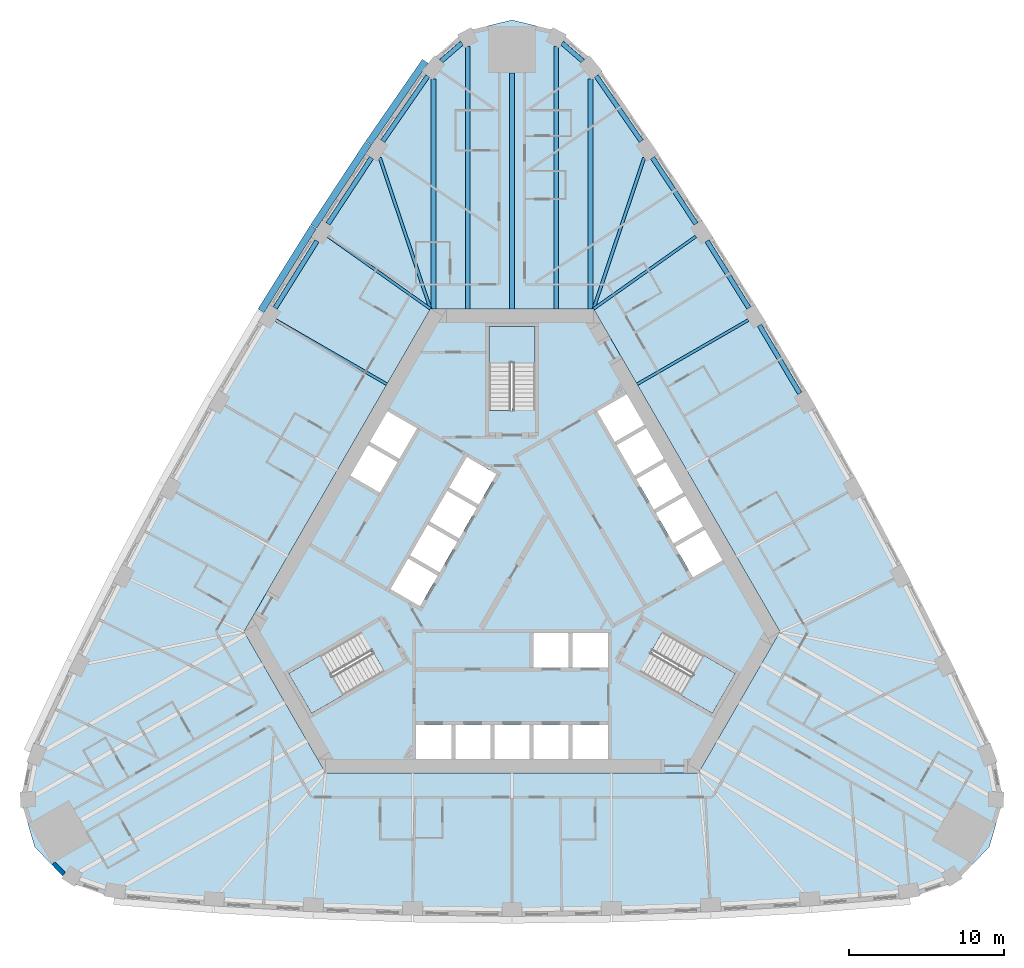
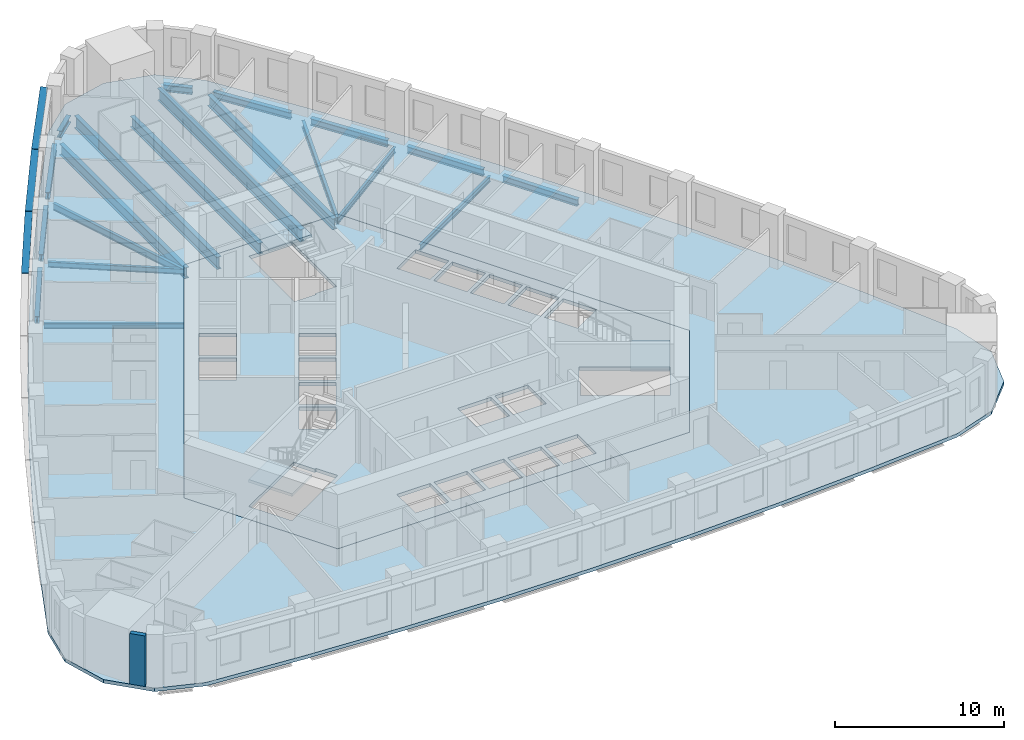
# One storey, part 2 of 12: 20 beams, 5 slabs, 3 members, 1 wall, 3 elements without a shape of their own.
"""IFC4 building model written with IfcOpenShell, lengths in metres."""

import ifcopenshell
import ifcopenshell.guid

model = None  # the IFC model being written
_history = None  # IfcOwnerHistory: only IFC2X3 demands one
_inside = {}  # id of a spatial element -> (the spatial element, [elements in it])
_under = {}  # id of a project, library or spatial element -> (it, [spatial elements below it])
_declared = {}  # id of a project -> (the project, [libraries it declares])
_typed = {}  # id of a type object -> (the type object, [elements of that type])
_made_of = {}  # id of a material, layer set ... -> (it, [elements and type objects made of it])


def new_model(schema):
    """Start an empty IFC model of exactly this schema.

    Asked for "IFC4X3", IfcOpenShell would pick the latest addendum, in which some entities
    have other attributes; the version numbers below select the first issue.
    IFC2X3 requires an IfcOwnerHistory on every rooted entity: one is made here for all.
    """
    global model, _history
    if schema == "IFC4X3":
        model = ifcopenshell.file(schema_version=(4, 3, 0, 0))
    else:
        model = ifcopenshell.file(schema=schema)
    _inside.clear()
    _under.clear()
    _declared.clear()
    _typed.clear()
    _made_of.clear()
    _history = None
    if model.schema == "IFC2X3":
        org = make("IfcOrganization", Name="unknown")
        user = make(
            "IfcPersonAndOrganization",
            ThePerson=make("IfcPerson", FamilyName="unknown"),
            TheOrganization=org,
        )
        app = make(
            "IfcApplication",
            ApplicationDeveloper=org,
            Version="unknown",
            ApplicationFullName="unknown",
            ApplicationIdentifier="unknown",
        )
        _history = make(
            "IfcOwnerHistory",
            OwningUser=user,
            OwningApplication=app,
            ChangeAction="ADDED",
            CreationDate=0,
        )
    return model


def make(cls, **values):
    """One entity of the class cls with the attributes given. An attribute that is None is left unset."""
    return model.create_entity(
        cls, **{name: value for name, value in values.items() if value is not None}
    )


def rooted(cls, **values):
    """An entity with a GlobalId (a new one), such as an element, a storey or a relation."""
    return make(cls, GlobalId=ifcopenshell.guid.new(), OwnerHistory=_history, **values)


def si_unit(unit_type, name, prefix=None):
    """IfcSIUnit, for example si_unit("LENGTHUNIT", "METRE", prefix="MILLI")."""
    return make("IfcSIUnit", UnitType=unit_type, Prefix=prefix, Name=name)


def assignment(units):
    """IfcUnitAssignment: the units of a project."""
    return None if units is None else make("IfcUnitAssignment", Units=units)


def point(xyz):
    """IfcCartesianPoint."""
    return None if xyz is None else make("IfcCartesianPoint", Coordinates=xyz)


def direction(xyz):
    """IfcDirection."""
    return None if xyz is None else make("IfcDirection", DirectionRatios=xyz)


def frame(location, z_axis=None, x_axis=None):
    """IfcAxis2Placement3D, a coordinate frame: its origin and axes. An axis left out is left unset."""
    return make(
        "IfcAxis2Placement3D",
        Location=point(location),
        Axis=direction(z_axis),
        RefDirection=direction(x_axis),
    )


def frame_2d(location, x_axis=None):
    """IfcAxis2Placement2D, a coordinate frame in the plane: its origin and x axis."""
    return make(
        "IfcAxis2Placement2D", Location=point(location), RefDirection=direction(x_axis)
    )


def origin():
    """The frame at (0, 0, 0) with its axes left unset."""
    return frame((0.0, 0.0, 0.0))


def origin_2d():
    """The frame at (0, 0) in the plane with its x axis left unset."""
    return frame_2d((0.0, 0.0))


def place(relative_to, where):
    """IfcLocalPlacement: puts the frame where relative to a parent placement (None: the world)."""
    return make(
        "IfcLocalPlacement", PlacementRelTo=relative_to, RelativePlacement=where
    )


def context(
    kind, dimensions, precision=None, world=None, true_north=None, identifier=None
):
    """IfcGeometricRepresentationContext, for example the 3D "Model" context."""
    return make(
        "IfcGeometricRepresentationContext",
        ContextIdentifier=identifier,
        ContextType=kind,
        CoordinateSpaceDimension=dimensions,
        Precision=precision,
        WorldCoordinateSystem=world,
        TrueNorth=true_north,
    )


def subcontext(parent, identifier, kind, view, scale=None):
    """IfcGeometricRepresentationSubContext, for example "Body" below "Model"."""
    return make(
        "IfcGeometricRepresentationSubContext",
        ContextIdentifier=identifier,
        ContextType=kind,
        ParentContext=parent,
        TargetScale=scale,
        TargetView=view,
    )


def project(units=None, contexts=None):
    """IfcProject with its units and contexts."""
    return rooted(
        "IfcProject",
        Name="project",
        RepresentationContexts=contexts,
        UnitsInContext=assignment(units),
    )


def spatial(cls, under=None, at=None, **own):
    """A site, building, storey or space (cls), placed at a placement, below another one or the project."""
    s = rooted(cls, ObjectPlacement=at, **own)
    if under is not None:
        _under.setdefault(under.id(), (under, []))[1].append(s)
    return s


def polyline(points):
    """IfcPolyline through the points."""
    return make("IfcPolyline", Points=[point(p) for p in points])


def profile(cls, at=None, kind="AREA", **sizes):
    """A parametric profile (cls). Its sizes go by their IFC names, for example OverallWidth=200.0."""
    return make(cls, ProfileType=kind, Position=at, **sizes)


def rectangle(**sizes):
    """IfcRectangleProfileDef."""
    return profile("IfcRectangleProfileDef", **sizes)


def i_section(**sizes):
    """IfcIShapeProfileDef."""
    return profile("IfcIShapeProfileDef", **sizes)


def outline(outer, holes=None, kind="AREA"):
    """IfcArbitraryClosedProfileDef: a profile drawn as a closed curve; with holes, ...WithVoids."""
    if holes is None:
        return make("IfcArbitraryClosedProfileDef", ProfileType=kind, OuterCurve=outer)
    return make(
        "IfcArbitraryProfileDefWithVoids",
        ProfileType=kind,
        OuterCurve=outer,
        InnerCurves=holes,
    )


def extrude(swept, where, along, depth):
    """IfcExtrudedAreaSolid: the profile swept, set in the frame where, extruded along a direction by depth."""
    return make(
        "IfcExtrudedAreaSolid",
        SweptArea=swept,
        Position=where,
        ExtrudedDirection=direction(along),
        Depth=depth,
    )


def shape(context_of_items, identifier, shape_type, items):
    """IfcShapeRepresentation: the items that make up one representation, for example the "Body"."""
    return make(
        "IfcShapeRepresentation",
        ContextOfItems=context_of_items,
        RepresentationIdentifier=identifier,
        RepresentationType=shape_type,
        Items=items,
    )


def material(Name=None, Category=None):
    """IfcMaterial."""
    return make("IfcMaterial", Name=Name, Category=Category)


def layer(
    of_material, thickness, ventilated=None, Name=None, Category=None, Priority=None
):
    """IfcMaterialLayer: one layer of a wall or slab, of a material (None: an air gap)."""
    return make(
        "IfcMaterialLayer",
        Material=of_material,
        LayerThickness=thickness,
        IsVentilated=ventilated,
        Name=Name,
        Category=Category,
        Priority=Priority,
    )


def layer_set(layers, Name=None):
    """IfcMaterialLayerSet."""
    return make("IfcMaterialLayerSet", MaterialLayers=layers, LayerSetName=Name)


def material_profile(
    of_material, cross_section, Name=None, Category=None, Priority=None
):
    """IfcMaterialProfile: a cross section and its material."""
    return make(
        "IfcMaterialProfile",
        Name=Name,
        Material=of_material,
        Profile=cross_section,
        Priority=Priority,
        Category=Category,
    )


def profile_set(profiles, Name=None, composite=None):
    """IfcMaterialProfileSet."""
    return make(
        "IfcMaterialProfileSet",
        Name=Name,
        MaterialProfiles=profiles,
        CompositeProfile=composite,
    )


def made_of(thing, what):
    """Note that an element or type object is made of a material, layer set ...; save() writes the relation."""
    if what is not None:
        _made_of.setdefault(what.id(), (what, []))[1].append(thing)
    return thing


def type_object(cls, material=None, **own):
    """A type object (cls), such as IfcWallType, which elements share."""
    return made_of(rooted(cls, **own), material)


def element(
    cls,
    number,
    at=None,
    inside=None,
    cuts=None,
    type_object=None,
    material=None,
    context=None,
    identifier="Body",
    shape_type=None,
    held_by="IfcProductDefinitionShape",
    body=None,
    shapes=None,
    **own,
):
    """One element of the class cls, such as IfcWall. Its Tag is "e" and its number.

    at: its placement. inside: the storey or other place that contains it. cuts: it is an
    opening in that element (IfcRelVoidsElement). A single representation is given by context,
    identifier, shape_type and body (its items); several are given by shapes. held_by: the class
    of the entity that holds the representations. save() writes the other relations.
    """
    e = rooted(cls, Tag="e%d" % number, ObjectPlacement=at, **own)
    if body is not None:
        shapes = [shape(context, identifier, shape_type, body)]
    if shapes is not None:
        e.Representation = make(held_by, Representations=shapes)
    if inside is not None:
        _inside.setdefault(inside.id(), (inside, []))[1].append(e)
    if cuts is not None:
        rooted(
            "IfcRelVoidsElement", RelatingBuildingElement=cuts, RelatedOpeningElement=e
        )
    if type_object is not None:
        _typed.setdefault(type_object.id(), (type_object, []))[1].append(e)
    return made_of(e, material)


def aggregate(whole, parts):
    """IfcRelAggregates: a whole, such as a stair, and the parts it consists of."""
    return rooted("IfcRelAggregates", RelatingObject=whole, RelatedObjects=parts)


def save(model, path):
    """Write the relations noted so far, then the file.

    IfcRelAggregates (storeys below a building ...), IfcRelContainedInSpatialStructure (elements
    in a storey), IfcRelDefinesByType, IfcRelAssociatesMaterial and IfcRelDeclares: one each for
    every whole, place, type object, material and project.
    """
    for whole, parts in _under.values():
        aggregate(whole, parts)
    for where, things in _inside.values():
        rooted(
            "IfcRelContainedInSpatialStructure",
            RelatedElements=things,
            RelatingStructure=where,
        )
    for kind, things in _typed.values():
        rooted("IfcRelDefinesByType", RelatedObjects=things, RelatingType=kind)
    for what, things in _made_of.values():
        rooted("IfcRelAssociatesMaterial", RelatedObjects=things, RelatingMaterial=what)
    for by, libraries in _declared.values():
        rooted("IfcRelDeclares", RelatingContext=by, RelatedDefinitions=libraries)
    model.write(path)


model = new_model("IFC4")

# Units and contexts
model_context = context("Model", 3, precision=1e-05, world=origin(), true_north=direction((0.0, 1.0)))
body_context = subcontext(model_context, "Body", "Model", "MODEL_VIEW")
ifc_project = project(units=[si_unit("LENGTHUNIT", "METRE"), si_unit("AREAUNIT", "SQUARE_METRE"), si_unit("VOLUMEUNIT", "CUBIC_METRE"), si_unit("PLANEANGLEUNIT", "RADIAN"), si_unit("MASSUNIT", "GRAM", prefix="KILO")], contexts=[model_context])

# Site, building, storey
site_placement = place(None, origin())
site = spatial("IfcSite", under=ifc_project, at=site_placement, CompositionType="ELEMENT")
building_placement = place(site_placement, origin())
building = spatial("IfcBuilding", under=site, at=building_placement, Name="Mestral Congress Tower", CompositionType="ELEMENT")
storey_placement = place(building_placement, frame((0.0, 0.0, 107.10009765625)))
storey = spatial("IfcBuildingStorey", under=building, at=storey_placement, Name="L25", CompositionType="ELEMENT", Elevation=107.10009765625)

# Members
ifc_material_1 = material(Name="Glazed ceramic", Category="masonry")
ifc_material_profile_1 = material_profile(ifc_material_1, rectangle(XDim=0.449951171875, YDim=0.06005859375, at=origin_2d()), Name="Ceramic blade 450 x 60")
ifc_profile_set_1 = profile_set([ifc_material_profile_1], Name="Glazed ceramic")
member_type = type_object("IfcMemberType", Name="Facade sunshade blade 450 x 60", PredefinedType="USERDEFINED", material=ifc_profile_set_1)
member_placement = place(storey_placement, frame((-5.590576171875, 32.8505859375, 3.27978515625), z_axis=(-0.569144736399, -0.822237355652, 0.0), x_axis=(0.822237355652, -0.569144736399, 0.0)))
element("IfcMember", 1, at=member_placement, inside=storey, type_object=member_type, Name="Sunshade F2-00", ObjectType="SUNSHADE", PredefinedType="USERDEFINED", context=body_context, shape_type="SweptSolid", body=[
    extrude(rectangle(XDim=0.449951171875, YDim=0.06005859375, at=origin_2d()), origin(), (0.0, 0.0, 1.0), 6.421630859375),
])
for number, where, z_axis, x_axis, name in (
    (2, (-9.2705078125, 27.532958984375, 3.27978515625), (-0.549764307833, -0.835319822483, 0.0), (0.835319822483, -0.549764307833, 0.0), "Sunshade F2-01"),
    (3, (-12.797119140625, 22.173583984375, 3.27978515625), (-0.530060946156, -0.847959547007, 0.0), (0.847959547007, -0.530060946156, 0.0), "Sunshade F2-02"),
):
    element("IfcMember", number, at=place(storey_placement, frame(where, z_axis=z_axis, x_axis=x_axis)), inside=storey, type_object=member_type, Name=name, ObjectType="SUNSHADE", PredefinedType="USERDEFINED", context=body_context, shape_type="SweptSolid", body=[
        extrude(rectangle(XDim=0.449951171875, YDim=0.06005859375, at=origin_2d()), origin(), (0.0, 0.0, 1.0), 6.370361328125),
    ])

# Beams
ifc_material_2 = material(Name="Steel S355", Category="steel")
ifc_material_profile_2 = material_profile(ifc_material_2, i_section(OverallWidth=0.300048828125, OverallDepth=0.800048828125, WebThickness=0.017578125, FlangeThickness=0.032958984375, FilletRadius=0.030029296875, at=origin_2d()), Name="HEB 800")
ifc_profile_set_2 = profile_set([ifc_material_profile_2], Name="Steel S355")
beam_type_1 = type_object("IfcBeamType", Name="Floor beam HEB 800 S355", PredefinedType="BEAM", material=ifc_profile_set_2)
beam_1_placement = place(storey_placement, frame((5.056396484375, 31.72412109375, -0.650146484375), z_axis=(0.0, -1.0, 0.0), x_axis=(1.0, 0.0, 0.0)))
element("IfcBeam", 4, at=beam_1_placement, inside=storey, type_object=beam_type_1, Name="BM-L25-RB2-E08", PredefinedType="BEAM", context=body_context, shape_type="SweptSolid", body=[
    extrude(i_section(OverallWidth=0.300048828125, OverallDepth=0.800048828125, WebThickness=0.017578125, FlangeThickness=0.032958984375, FilletRadius=0.030029296875, at=origin_2d()), origin(), (0.0, 0.0, 1.0), 14.82421875),
])
beam_2_placement = place(storey_placement, frame((0.0, 32.098388671875, -0.650146484375), z_axis=(0.0, -1.0, 0.0), x_axis=(1.0, 0.0, 0.0)))
element("IfcBeam", 5, at=beam_2_placement, inside=storey, type_object=beam_type_1, Name="BM-L25-RB2-N", PredefinedType="BEAM", context=body_context, shape_type="SweptSolid", body=[
    extrude(i_section(OverallWidth=0.300048828125, OverallDepth=0.800048828125, WebThickness=0.017578125, FlangeThickness=0.032958984375, FilletRadius=0.030029296875, at=origin_2d()), origin(), (0.0, 0.0, 1.0), 15.198486328125),
])
beam_3_placement = place(storey_placement, frame((-5.056396484375, 31.72412109375, -0.650146484375), z_axis=(0.0, -1.0, 0.0), x_axis=(1.0, 0.0, 0.0)))
element("IfcBeam", 6, at=beam_3_placement, inside=storey, type_object=beam_type_1, Name="BM-L25-RB2-W00", PredefinedType="BEAM", context=body_context, shape_type="SweptSolid", body=[
    extrude(i_section(OverallWidth=0.300048828125, OverallDepth=0.800048828125, WebThickness=0.017578125, FlangeThickness=0.032958984375, FilletRadius=0.030029296875, at=origin_2d()), origin(), (0.0, 0.0, 1.0), 14.82421875),
])
ifc_material_profile_3 = material_profile(ifc_material_2, i_section(OverallWidth=0.300048828125, OverallDepth=0.89990234375, WebThickness=0.0185546875, FlangeThickness=0.034912109375, FilletRadius=0.030029296875, at=origin_2d()), Name="HEB 900")
ifc_profile_set_3 = profile_set([ifc_material_profile_3], Name="Steel S355")
beam_type_2 = type_object("IfcBeamType", Name="Floor beam HEB 900 S355", PredefinedType="BEAM", material=ifc_profile_set_3)
for number, where, z_axis, x_axis, name in (
    (7, (2.845703125, 33.794189453125, -0.7001953125), (0.0, -1.0, 0.0), (1.0, 0.0, 0.0), "BM-L25-RB2-N1"),
    (8, (-2.845703125, 33.794189453125, -0.7001953125), (0.0, -1.0, 0.0), (1.0, 0.0, 0.0), "BM-L25-RB2-N3"),
):
    element("IfcBeam", number, at=place(storey_placement, frame(where, z_axis=z_axis, x_axis=x_axis)), inside=storey, type_object=beam_type_2, Name=name, PredefinedType="BEAM", context=body_context, shape_type="SweptSolid", body=[
        extrude(i_section(OverallWidth=0.300048828125, OverallDepth=0.89990234375, WebThickness=0.0185546875, FlangeThickness=0.034912109375, FilletRadius=0.030029296875, at=origin_2d()), origin(), (0.0, 0.0, 1.0), 16.894287109375),
    ])
ifc_material_profile_4 = material_profile(ifc_material_2, i_section(OverallWidth=0.179931640625, OverallDepth=0.39990234375, WebThickness=0.008544921875, FlangeThickness=0.013427734375, FilletRadius=0.02099609375, at=origin_2d()), Name="IPE 400")
ifc_profile_set_4 = profile_set([ifc_material_profile_4], Name="Steel S355")
beam_type_3 = type_object("IfcBeamType", Name="Floor beam IPE 400 S355", PredefinedType="BEAM", material=ifc_profile_set_4)
beam_4_placement = place(storey_placement, frame((15.219482421875, 16.176513671875, -0.4501953125), z_axis=(-0.866015952286, -0.500016370119, 0.0), x_axis=(0.500016370119, -0.866015952286, 0.0)))
element("IfcBeam", 9, at=beam_4_placement, inside=storey, type_object=beam_type_3, Name="BM-L25-RB2-E05", PredefinedType="BEAM", context=body_context, shape_type="SweptSolid", body=[
    extrude(i_section(OverallWidth=0.179931640625, OverallDepth=0.39990234375, WebThickness=0.008544921875, FlangeThickness=0.013427734375, FilletRadius=0.02099609375, at=origin_2d()), origin(), (0.0, 0.0, 1.0), 8.268798828125),
])
for number, where, z_axis, x_axis, name in (
    (10, (11.849365234375, 21.568115234375, -0.4501953125), (-0.816232852676, -0.577723056673, 0.0), (0.577723056673, -0.816232852676, 0.0), "BM-L25-RB2-E06"),
    (11, (-11.849365234375, 21.568115234375, -0.4501953125), (0.816232852676, -0.577723056673, 0.0), (0.577723056673, 0.816232852676, 0.0), "BM-L25-RB2-W02"),
):
    element("IfcBeam", number, at=place(storey_placement, frame(where, z_axis=z_axis, x_axis=x_axis)), inside=storey, type_object=beam_type_3, Name=name, PredefinedType="BEAM", context=body_context, shape_type="SweptSolid", body=[
        extrude(i_section(OverallWidth=0.179931640625, OverallDepth=0.39990234375, WebThickness=0.008544921875, FlangeThickness=0.013427734375, FilletRadius=0.02099609375, at=origin_2d()), origin(), (0.0, 0.0, 1.0), 8.080322265625),
    ])
beam_5_placement = place(storey_placement, frame((-15.219482421875, 16.176513671875, -0.4501953125), z_axis=(0.866015952286, -0.500016370119, 0.0), x_axis=(0.500016370119, 0.866015952286, 0.0)))
element("IfcBeam", 12, at=beam_5_placement, inside=storey, type_object=beam_type_3, Name="BM-L25-RB2-W03", PredefinedType="BEAM", context=body_context, shape_type="SweptSolid", body=[
    extrude(i_section(OverallWidth=0.179931640625, OverallDepth=0.39990234375, WebThickness=0.008544921875, FlangeThickness=0.013427734375, FilletRadius=0.02099609375, at=origin_2d()), origin(), (0.0, 0.0, 1.0), 8.268798828125),
])
ifc_material_profile_5 = material_profile(ifc_material_2, i_section(OverallWidth=0.199951171875, OverallDepth=0.5, WebThickness=0.01025390625, FlangeThickness=0.01611328125, FilletRadius=0.02099609375, at=origin_2d()), Name="IPE 500")
ifc_profile_set_5 = profile_set([ifc_material_profile_5], Name="Steel S355")
beam_type_4 = type_object("IfcBeamType", Name="Floor beam IPE 500 S355", PredefinedType="BEAM", material=ifc_profile_set_5)
for number, where, z_axis, x_axis, name in (
    (13, (8.5185546875, 26.636962890625, -0.5), (-0.317888994992, -0.948127938025, 0.0), (0.948127938025, -0.317888994992, 0.0), "BM-L25-RB2-E07"),
    (14, (-8.5185546875, 26.636962890625, -0.5), (0.317888994992, -0.948127938025, 0.0), (0.948127938025, 0.317888994992, 0.0), "BM-L25-RB2-W01"),
):
    element("IfcBeam", number, at=place(storey_placement, frame(where, z_axis=z_axis, x_axis=x_axis)), inside=storey, type_object=beam_type_4, Name=name, PredefinedType="BEAM", context=body_context, shape_type="SweptSolid", body=[
        extrude(i_section(OverallWidth=0.199951171875, OverallDepth=0.5, WebThickness=0.01025390625, FlangeThickness=0.01611328125, FilletRadius=0.02099609375, at=origin_2d()), origin(), (0.0, 0.0, 1.0), 10.269775390625),
    ])
ifc_material_profile_6 = material_profile(ifc_material_2, i_section(OverallWidth=0.300048828125, OverallDepth=0.489990234375, WebThickness=0.011962890625, FlangeThickness=0.02294921875, FilletRadius=0.027099609375, at=origin_2d()), Name="HEA 500")
ifc_profile_set_6 = profile_set([ifc_material_profile_6], Name="Steel S355")
beam_type_5 = type_object("IfcBeamType", Name="Spandrel beam HEA 500 S355", PredefinedType="BEAM", material=ifc_profile_set_6)
for number, where, z_axis, x_axis, name in (
    (15, (18.542236328125, 11.455810546875, -0.4951171875), (-0.510081870963, 0.860125854114, 0.0), (-0.860125854114, -0.510081870963, 0.0), "SP-L25-SB2-E04"),
    (16, (15.2646484375, 16.95263671875, -0.4951171875), (-0.530046273959, 0.847968718446, 0.0), (-0.847968718446, -0.530046273959, 0.0), "SP-L25-SB2-E05"),
):
    element("IfcBeam", number, at=place(storey_placement, frame(where, z_axis=z_axis, x_axis=x_axis)), inside=storey, type_object=beam_type_5, Name=name, PredefinedType="BEAM", context=body_context, shape_type="SweptSolid", body=[
        extrude(i_section(OverallWidth=0.300048828125, OverallDepth=0.489990234375, WebThickness=0.011962890625, FlangeThickness=0.02294921875, FilletRadius=0.027099609375, at=origin_2d()), origin(), (0.0, 0.0, 1.0), 5.099853515625),
    ])
beam_6_placement = place(storey_placement, frame((11.859619140625, 22.371337890625, -0.4951171875), z_axis=(-0.549729920898, 0.835342453171, 0.0), x_axis=(-0.835342453171, -0.549729920898, 0.0)))
element("IfcBeam", 17, at=beam_6_placement, inside=storey, type_object=beam_type_5, Name="SP-L25-SB2-E06", PredefinedType="BEAM", context=body_context, shape_type="SweptSolid", body=[
    extrude(i_section(OverallWidth=0.300048828125, OverallDepth=0.489990234375, WebThickness=0.011962890625, FlangeThickness=0.02294921875, FilletRadius=0.027099609375, at=origin_2d()), origin(), (0.0, 0.0, 1.0), 5.099609375),
])
beam_7_placement = place(storey_placement, frame((8.32861328125, 27.708740234375, -0.4951171875), z_axis=(-0.569105377225, 0.822264598298, 0.0), x_axis=(-0.822264598298, -0.569105377225, 0.0)))
element("IfcBeam", 18, at=beam_7_placement, inside=storey, type_object=beam_type_5, Name="SP-L25-SB2-E07", PredefinedType="BEAM", context=body_context, shape_type="SweptSolid", body=[
    extrude(i_section(OverallWidth=0.300048828125, OverallDepth=0.489990234375, WebThickness=0.011962890625, FlangeThickness=0.02294921875, FilletRadius=0.027099609375, at=origin_2d()), origin(), (0.0, 0.0, 1.0), 5.09765625),
])
for number, where, z_axis, x_axis, name in (
    (19, (4.558349609375, 32.869140625, -0.4951171875), (-0.754917058401, 0.655820276398, 0.0), (-0.655820276398, -0.754917058401, 0.0), "SP-L25-SB2-E08"),
    (20, (-3.234130859375, 34.01953125, -0.4951171875), (-0.754917058401, -0.655820276398, 0.0), (0.655820276398, -0.754917058401, 0.0), "SP-L25-SB2-N3"),
):
    element("IfcBeam", number, at=place(storey_placement, frame(where, z_axis=z_axis, x_axis=x_axis)), inside=storey, type_object=beam_type_5, Name=name, PredefinedType="BEAM", context=body_context, shape_type="SweptSolid", body=[
        extrude(i_section(OverallWidth=0.300048828125, OverallDepth=0.489990234375, WebThickness=0.011962890625, FlangeThickness=0.02294921875, FilletRadius=0.027099609375, at=origin_2d()), origin(), (0.0, 0.0, 1.0), 1.754150390625),
    ])
beam_8_placement = place(storey_placement, frame((-5.427490234375, 31.900390625, -0.4951171875), z_axis=(-0.569105377225, -0.822264598298, 0.0), x_axis=(0.822264598298, -0.569105377225, 0.0)))
element("IfcBeam", 21, at=beam_8_placement, inside=storey, type_object=beam_type_5, Name="SP-L25-SB2-W00", PredefinedType="BEAM", context=body_context, shape_type="SweptSolid", body=[
    extrude(i_section(OverallWidth=0.300048828125, OverallDepth=0.489990234375, WebThickness=0.011962890625, FlangeThickness=0.02294921875, FilletRadius=0.027099609375, at=origin_2d()), origin(), (0.0, 0.0, 1.0), 5.09765625),
])
beam_9_placement = place(storey_placement, frame((-9.05615234375, 26.63134765625, -0.4951171875), z_axis=(-0.549729920898, -0.835342453171, 0.0), x_axis=(0.835342453171, -0.549729920898, 0.0)))
element("IfcBeam", 22, at=beam_9_placement, inside=storey, type_object=beam_type_5, Name="SP-L25-SB2-W01", PredefinedType="BEAM", context=body_context, shape_type="SweptSolid", body=[
    extrude(i_section(OverallWidth=0.300048828125, OverallDepth=0.489990234375, WebThickness=0.011962890625, FlangeThickness=0.02294921875, FilletRadius=0.027099609375, at=origin_2d()), origin(), (0.0, 0.0, 1.0), 5.099609375),
])
beam_10_placement = place(storey_placement, frame((-12.5615234375, 21.277099609375, -0.4951171875), z_axis=(-0.530046273959, -0.847968718446, 0.0), x_axis=(0.847968718446, -0.530046273959, 0.0)))
element("IfcBeam", 23, at=beam_10_placement, inside=storey, type_object=beam_type_5, Name="SP-L25-SB2-W02", PredefinedType="BEAM", context=body_context, shape_type="SweptSolid", body=[
    extrude(i_section(OverallWidth=0.300048828125, OverallDepth=0.489990234375, WebThickness=0.011962890625, FlangeThickness=0.02294921875, FilletRadius=0.027099609375, at=origin_2d()), origin(), (0.0, 0.0, 1.0), 5.099853515625),
])

# Slabs
ifc_material_3 = material(Name="Concrete C35/45", Category="concrete")
ifc_layer_1 = layer(ifc_material_3, 0.25)
ifc_layer_set_1 = layer_set([ifc_layer_1], Name="Concrete C35/45")
slab_type_1 = type_object("IfcSlabType", Name="Composite floor slab 250", PredefinedType="FLOOR", material=ifc_layer_set_1)
placement_1 = place(storey_placement, frame((0.0, 0.0, -0.25)))
element("IfcSlab", 24, at=placement_1, inside=storey, type_object=slab_type_1, Name="SL-L25", PredefinedType="FLOOR", context=body_context, shape_type="SweptSolid", body=[
    extrude(outline(polyline([(-25.656005859375, -21.041015625), (-28.581298828125, -20.03271484375), (-30.75390625, -17.755859375), (-31.639404296875, -14.73583984375), (-31.050048828125, -11.697998046875), (-28.28759765625, -5.856689453125), (-25.412109375, -0.12744140625), (-22.403564453125, 5.533203125), (-19.263671875, 11.121826171875), (-15.99365234375, 16.635498046875), (-12.595703125, 22.0712890625), (-9.07177734375, 27.426025390625), (-5.39404296875, 32.739013671875), (-3.05810546875, 34.768310546875), (0.0, 35.51171875), (3.05810546875, 34.768310546875), (5.39404296875, 32.739013671875), (9.07177734375, 27.426025390625), (12.595703125, 22.0712890625), (15.99365234375, 16.635498046875), (19.263671875, 11.121826171875), (22.403564453125, 5.533203125), (25.412109375, -0.12744140625), (28.28759765625, -5.856689453125), (31.050048828125, -11.697998046875), (31.639404296875, -14.73583984375), (30.75390625, -17.755859375), (28.581298828125, -20.03271484375), (25.656005859375, -21.041015625), (19.2158203125, -21.5693359375), (12.81640625, -21.94384765625), (6.409912109375, -22.168701171875), (0.0, -22.24365234375), (-6.409912109375, -22.168701171875), (-12.81640625, -21.94384765625), (-19.2158203125, -21.5693359375), (-25.656005859375, -21.041015625)]), holes=[polyline([(-5.25390625, 16.89990234375), (-17.2626953125, -3.89990234375), (-12.0087890625, -13.0), (12.0087890625, -13.0), (17.2626953125, -3.89990234375), (5.25390625, 16.89990234375), (-5.25390625, 16.89990234375)])]), origin(), (0.0, 0.0, 1.0), 0.25),
])
ifc_material_4 = material(Name="Concrete C60/75", Category="concrete")
ifc_layer_2 = layer(ifc_material_4, 0.25)
ifc_layer_set_2 = layer_set([ifc_layer_2], Name="Concrete C60/75")
slab_type_2 = type_object("IfcSlabType", Name="Core floor slab RC 250", PredefinedType="FLOOR", material=ifc_layer_set_2)
element("IfcSlab", 25, at=placement_1, inside=storey, type_object=slab_type_2, Name="L25 core floor", PredefinedType="FLOOR", context=body_context, shape_type="SweptSolid", body=[
    extrude(outline(polyline([(12.0087890625, -13.0), (-12.0087890625, -13.0), (-17.2626953125, -3.89990234375), (-5.25390625, 16.89990234375), (5.25390625, 16.89990234375), (17.2626953125, -3.89990234375), (12.0087890625, -13.0)]), holes=[polyline([(-3.905029296875, -9.89990234375), (-6.175048828125, -9.89990234375), (-6.175048828125, -12.10009765625), (-3.905029296875, -12.10009765625), (-3.905029296875, -9.89990234375)]), polyline([(-1.385009765625, -9.89990234375), (-3.655029296875, -9.89990234375), (-3.655029296875, -12.10009765625), (-1.385009765625, -12.10009765625), (-1.385009765625, -9.89990234375)]), polyline([(1.135009765625, -9.89990234375), (-1.135009765625, -9.89990234375), (-1.135009765625, -12.10009765625), (1.135009765625, -12.10009765625), (1.135009765625, -9.89990234375)]), polyline([(-9.0673828125, -5.235107421875), (-9.8046875, -3.95751953125), (-14.37744140625, -6.59765625), (-12.90234375, -9.15234375), (-8.234619140625, -6.45751953125), (-8.971923828125, -5.179931640625), (-9.0673828125, -5.235107421875)]), polyline([(-7.826904296875, -1.156494140625), (-5.921630859375, -2.256591796875), (-4.78662109375, -0.29052734375), (-6.69189453125, 0.809326171875), (-7.826904296875, -1.156494140625)]), polyline([(-4.66162109375, -0.07421875), (-3.526611328125, 1.8916015625), (-5.431884765625, 2.99169921875), (-6.56689453125, 1.02587890625), (-4.66162109375, -0.07421875)]), polyline([(-3.401611328125, 2.1083984375), (-2.2666015625, 4.07421875), (-4.171875, 5.174072265625), (-5.306884765625, 3.208251953125), (-3.401611328125, 2.1083984375)]), polyline([(-2.1416015625, 4.29052734375), (-1.006591796875, 6.256591796875), (-2.911865234375, 7.3564453125), (-4.046875, 5.390625), (-2.1416015625, 4.29052734375)]), polyline([(-10.41650390625, 6.158203125), (-8.51123046875, 5.058349609375), (-7.376220703125, 7.024169921875), (-9.281494140625, 8.1240234375), (-10.41650390625, 6.158203125)]), polyline([(-9.156494140625, 8.340576171875), (-7.251220703125, 7.240478515625), (-6.1162109375, 9.20654296875), (-8.021484375, 10.306396484375), (-9.156494140625, 8.340576171875)]), polyline([(1.47509765625, 10.469970703125), (1.47509765625, 15.75), (-1.47509765625, 15.75), (-1.47509765625, 10.360107421875), (0.0, 10.360107421875), (0.0, 10.469970703125), (1.47509765625, 10.469970703125)]), polyline([(3.655029296875, -9.89990234375), (1.385009765625, -9.89990234375), (1.385009765625, -12.10009765625), (3.655029296875, -12.10009765625), (3.655029296875, -9.89990234375)]), polyline([(6.175048828125, -9.89990234375), (3.905029296875, -9.89990234375), (3.905029296875, -12.10009765625), (6.175048828125, -12.10009765625), (6.175048828125, -9.89990234375)]), polyline([(9.0673828125, -5.235107421875), (8.329833984375, -6.512451171875), (12.90234375, -9.15234375), (14.37744140625, -6.59765625), (9.70947265625, -3.902587890625), (8.971923828125, -5.179931640625), (9.0673828125, -5.235107421875)]), polyline([(3.655029296875, -6.199951171875), (3.655029296875, -4.0), (1.385009765625, -4.0), (1.385009765625, -6.199951171875), (3.655029296875, -6.199951171875)]), polyline([(6.175048828125, -4.0), (3.905029296875, -4.0), (3.905029296875, -6.199951171875), (6.175048828125, -6.199951171875), (6.175048828125, -4.0)]), polyline([(12.431396484375, 2.668212890625), (10.526123046875, 1.568115234375), (11.6611328125, -0.397705078125), (13.56640625, 0.702392578125), (12.431396484375, 2.668212890625)]), polyline([(11.17138671875, 4.8505859375), (9.26611328125, 3.75048828125), (10.401123046875, 1.78466796875), (12.306396484375, 2.884765625), (11.17138671875, 4.8505859375)]), polyline([(8.006103515625, 5.932861328125), (9.14111328125, 3.967041015625), (11.04638671875, 5.067138671875), (9.911376953125, 7.032958984375), (8.006103515625, 5.932861328125)]), polyline([(8.6513671875, 9.21533203125), (6.74609375, 8.115234375), (7.881103515625, 6.1494140625), (9.786376953125, 7.24951171875), (8.6513671875, 9.21533203125)]), polyline([(7.391357421875, 11.397705078125), (5.486083984375, 10.297607421875), (6.62109375, 8.331787109375), (8.5263671875, 9.431884765625), (7.391357421875, 11.397705078125)])]), origin(), (0.0, 0.0, 1.0), 0.25),
])

# Stair, slab
stair_type = type_object("IfcStairType", Name="Exit stair 1400", PredefinedType="HALF_TURN_STAIR", material=ifc_material_4)
placement_2 = place(storey_placement, origin())
stair_1 = element("IfcStair", 26, at=placement_2, inside=storey, type_object=stair_type, Name="L25 ST1", PredefinedType="HALF_TURN_STAIR")
ifc_layer_3 = layer(ifc_material_4, 0.199951171875)
ifc_layer_set_3 = layer_set([ifc_layer_3], Name="Concrete C60/75")
slab_type_3 = type_object("IfcSlabType", Name="Exit stair landing 200", PredefinedType="LANDING", material=ifc_layer_set_3)
placement_3 = place(storey_placement, frame((0.0, 0.0, 1.75)))
slab_3 = element("IfcSlab", 27, at=placement_3, type_object=slab_type_3, Name="ST1 landing 1", PredefinedType="LANDING", context=body_context, shape_type="SweptSolid", body=[
    extrude(outline(polyline([(10.879638671875, -7.99609375), (12.364501953125, -5.424072265625), (14.39111328125, -6.593994140625), (12.906005859375, -9.166015625), (10.879638671875, -7.99609375)])), origin(), (0.0, 0.0, 1.0), 0.199951171875),
])
aggregate(stair_1, [slab_3])

stair_2 = element("IfcStair", 28, at=placement_2, inside=storey, type_object=stair_type, Name="L25 ST2", PredefinedType="HALF_TURN_STAIR")
slab_4 = element("IfcSlab", 29, at=placement_3, type_object=slab_type_3, Name="ST2 landing 1", PredefinedType="LANDING", context=body_context, shape_type="SweptSolid", body=[
    extrude(outline(polyline([(1.485107421875, 13.419921875), (-1.485107421875, 13.419921875), (-1.485107421875, 15.760009765625), (1.485107421875, 15.760009765625), (1.485107421875, 13.419921875)])), origin(), (0.0, 0.0, 1.0), 0.199951171875),
])
aggregate(stair_2, [slab_4])

stair_3 = element("IfcStair", 30, at=placement_2, inside=storey, type_object=stair_type, Name="L25 ST3", PredefinedType="HALF_TURN_STAIR")
slab_5 = element("IfcSlab", 31, at=placement_3, type_object=slab_type_3, Name="ST3 landing 1", PredefinedType="LANDING", context=body_context, shape_type="SweptSolid", body=[
    extrude(outline(polyline([(-12.364501953125, -5.424072265625), (-10.879638671875, -7.99609375), (-12.906005859375, -9.166015625), (-14.39111328125, -6.593994140625), (-12.364501953125, -5.424072265625)])), origin(), (0.0, 0.0, 1.0), 0.199951171875),
])
aggregate(stair_3, [slab_5])

# Wall
ifc_material_5 = material(Name="Precast concrete C40/50 with limestone facing", Category="masonry")
ifc_layer_4 = layer(ifc_material_5, 0.2900390625)
ifc_layer_set_4 = layer_set([ifc_layer_4], Name="Precast concrete C40/50 with limestone facing")
wall_type = type_object("IfcWallType", Name="Facade stone wall 290", PredefinedType="SOLIDWALL", material=ifc_layer_set_4)
wall_placement = place(storey_placement, frame((-29.5341796875, -18.82421875, 0.0), z_axis=(0.0, 0.0, 1.0), x_axis=(0.690414427296, -0.723414071319, 0.0)))
element("IfcWall", 32, at=wall_placement, inside=storey, type_object=wall_type, Name="Facade wall K2-2", PredefinedType="SOLIDWALL", context=body_context, shape_type="SweptSolid", body=[
    extrude(rectangle(XDim=0.947021484375, YDim=0.2900390625, at=frame_2d((0.4736328125, 0.0))), origin(), (0.0, 0.0, 1.0), 3.64990234375),
])

save(model, "model.ifc")
